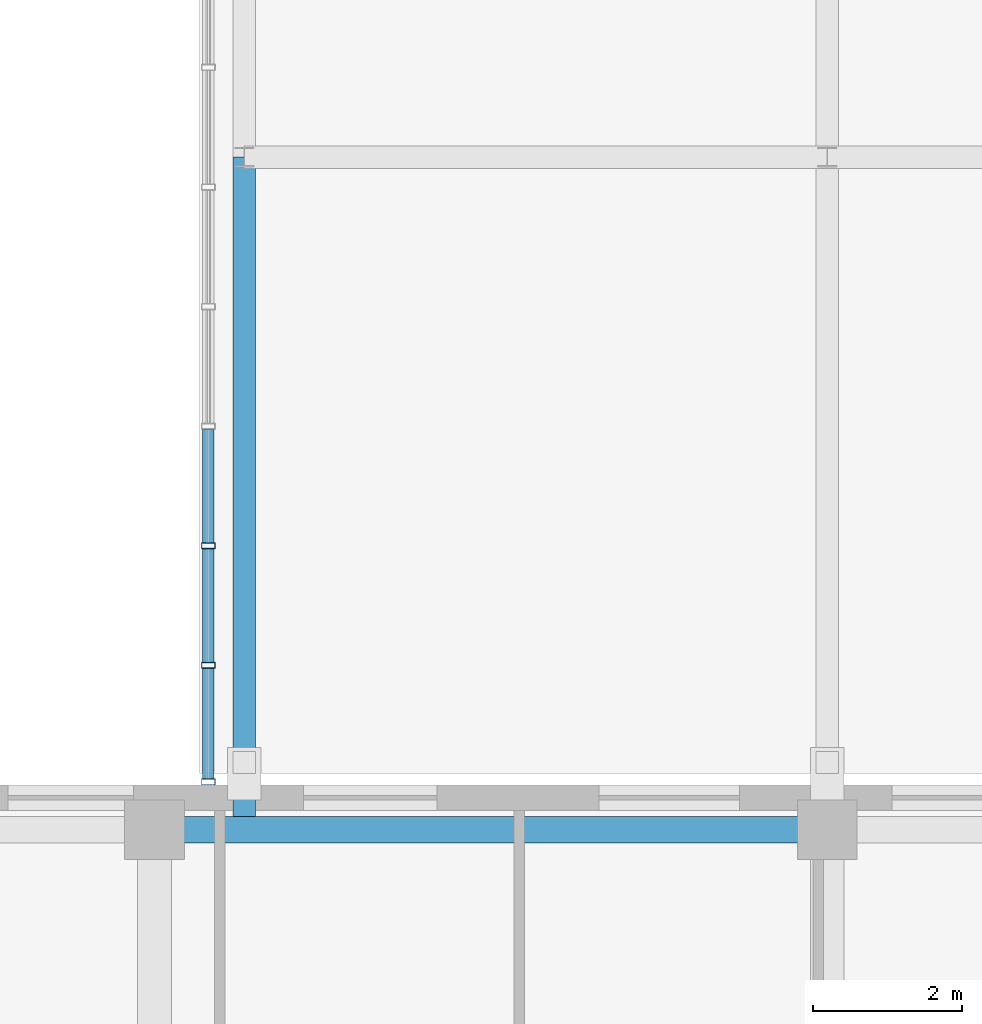
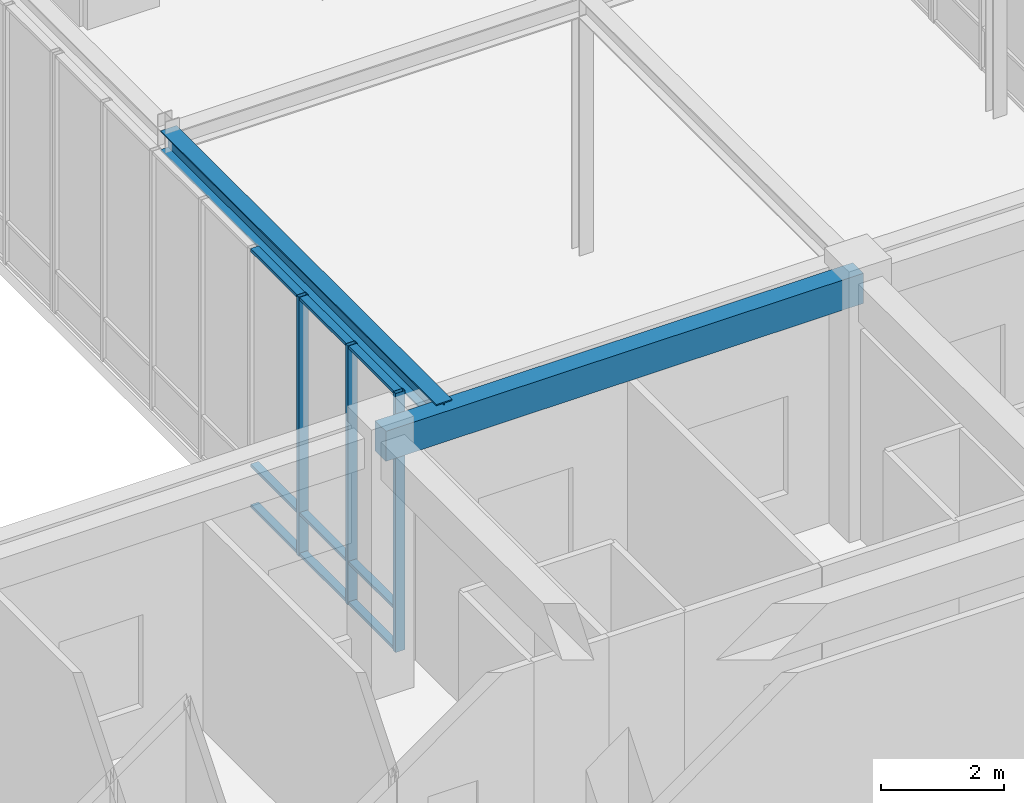
# One storey, part 19 of 139: 12 members, 2 beams, 1 element without a shape of its own.
"""IFC4 building model written with IfcOpenShell, lengths in metres."""

from ifc_helpers import new_model, si_unit, direction, frame, origin, origin_2d, place, context, subcontext, project, spatial, rectangle, hollow_rectangle, i_section, extrude, material, layer, layer_set, material_profile, profile_set, type_object, element, aggregate, save


model = new_model("IFC4")

# Units and contexts
model_context = context("Model", 3, precision=1e-05, world=origin(), true_north=direction((0.0, 1.0)))
body_context = subcontext(model_context, "Body", "Model", "MODEL_VIEW")
ifc_project = project(units=[si_unit("LENGTHUNIT", "METRE"), si_unit("AREAUNIT", "SQUARE_METRE"), si_unit("VOLUMEUNIT", "CUBIC_METRE"), si_unit("PLANEANGLEUNIT", "RADIAN"), si_unit("MASSUNIT", "GRAM", prefix="KILO")], contexts=[model_context])

# Site, building, storey
site_placement = place(None, origin())
site = spatial("IfcSite", under=ifc_project, at=site_placement, CompositionType="ELEMENT")
building_placement = place(site_placement, origin())
building = spatial("IfcBuilding", under=site, at=building_placement, Name="Zayran Congress Hotel", CompositionType="ELEMENT")
storey_placement = place(building_placement, frame((0.0, 0.0, 5.39990234375)))
storey = spatial("IfcBuildingStorey", under=building, at=storey_placement, Name="L01", CompositionType="ELEMENT", Elevation=5.39990234375)

# Beams
ifc_material_1 = material(Name="Concrete C40/50", Category="concrete")
ifc_material_profile_1 = material_profile(ifc_material_1, rectangle(XDim=0.35009765625, YDim=0.60009765625, at=origin_2d()), Name="RC 350x600")
ifc_profile_set_1 = profile_set([ifc_material_profile_1], Name="Concrete C40/50")
beam_type_1 = type_object("IfcBeamType", Name="TP-SP-01", PredefinedType="SPANDREL", material=ifc_profile_set_1)
beam_1_placement = place(storey_placement, frame((75.0, 33.39990234375, 4.800048828125), z_axis=(1.0, 0.0, 0.0), x_axis=(0.0, 1.0, 0.0)))
element("IfcBeam", 1, at=beam_1_placement, inside=storey, type_object=beam_type_1, Name="BM-V5-L01-1724", PredefinedType="SPANDREL", context=body_context, shape_type="SweptSolid", body=[
    extrude(rectangle(XDim=0.35009765625, YDim=0.60009765625, at=origin_2d()), origin(), (0.0, 0.0, 1.0), 9.0),
])
ifc_material_2 = material(Name="Steel S355", Category="steel")
ifc_material_profile_2 = material_profile(ifc_material_2, i_section(OverallWidth=0.300048828125, OverallDepth=0.39990234375, WebThickness=0.013427734375, FlangeThickness=0.02392578125, at=origin_2d()), Name="HEB 400")
ifc_profile_set_2 = profile_set([ifc_material_profile_2], Name="Steel S355")
beam_type_2 = type_object("IfcBeamType", Name="TP-BM-10", PredefinedType="BEAM", material=ifc_profile_set_2)
beam_2_placement = place(storey_placement, frame((76.199951171875, 33.39990234375, 4.960205078125), z_axis=(0.0, 1.0, 0.0), x_axis=(-1.0, 0.0, 0.0)))
element("IfcBeam", 2, at=beam_2_placement, inside=storey, type_object=beam_type_2, Name="BM-BR2Y-L01-2464", PredefinedType="BEAM", context=body_context, shape_type="SweptSolid", body=[
    extrude(i_section(OverallWidth=0.300048828125, OverallDepth=0.39990234375, WebThickness=0.013427734375, FlangeThickness=0.02392578125, at=origin_2d()), origin(), (0.0, 0.0, 1.0), 9.0),
])

# Curtain wall, members
ifc_material_3 = material(Name="Anodised aluminium and low-E insulated glass", Category="aluminium")
ifc_layer = layer(ifc_material_3, 0.179931640625)
ifc_layer_set = layer_set([ifc_layer], Name="Anodised aluminium and low-E insulated glass")
curtain_wall_type = type_object("IfcCurtainWallType", Name="CW-BR2-L01-CW-BR2-11200-5160", PredefinedType="USERDEFINED", material=ifc_layer_set)
curtain_wall_placement = place(storey_placement, origin())
curtain_wall = element("IfcCurtainWall", 3, at=curtain_wall_placement, inside=storey, type_object=curtain_wall_type, Name="CW-BR2W-L01-0", ObjectType="CURTAIN WALL", PredefinedType="USERDEFINED")
ifc_material_4 = material(Name="Anodised aluminium framing", Category="aluminium")
ifc_material_profile_3 = material_profile(ifc_material_4, hollow_rectangle(XDim=0.080078125, YDim=0.179931640625, WallThickness=0.0048828125, at=origin_2d()), Name="RHS 180x80x5")
ifc_profile_set_3 = profile_set([ifc_material_profile_3], Name="Anodised aluminium framing")
member_type_1 = type_object("IfcMemberType", Name="TP-CWM-01", PredefinedType="MULLION", material=ifc_profile_set_3)
member_1_placement = place(storey_placement, frame((75.719970703125, 37.199951171875, 0.0), z_axis=(0.0, 0.0, 1.0), x_axis=(0.0, 1.0, 0.0)))
member_1 = element("IfcMember", 4, at=member_1_placement, type_object=member_type_1, Name="CW-BR2W-L01-0-M05", PredefinedType="MULLION", context=body_context, shape_type="SweptSolid", body=[
    extrude(hollow_rectangle(XDim=0.080078125, YDim=0.179931640625, WallThickness=0.0048828125, at=origin_2d()), origin(), (0.0, 0.0, 1.0), 5.16015625),
])
member_2_placement = place(storey_placement, frame((75.719970703125, 35.60009765625, 0.0), z_axis=(0.0, 0.0, 1.0), x_axis=(0.0, 1.0, 0.0)))
member_2 = element("IfcMember", 5, at=member_2_placement, type_object=member_type_1, Name="CW-BR2W-L01-0-M06", PredefinedType="MULLION", context=body_context, shape_type="SweptSolid", body=[
    extrude(hollow_rectangle(XDim=0.080078125, YDim=0.179931640625, WallThickness=0.0048828125, at=origin_2d()), origin(), (0.0, 0.0, 1.0), 5.16015625),
])
member_3_placement = place(storey_placement, frame((75.719970703125, 34.0400390625, 0.0), z_axis=(0.0, 0.0, 1.0), x_axis=(0.0, 1.0, 0.0)))
member_3 = element("IfcMember", 6, at=member_3_placement, type_object=member_type_1, Name="CW-BR2W-L01-0-M07", PredefinedType="MULLION", context=body_context, shape_type="SweptSolid", body=[
    extrude(hollow_rectangle(XDim=0.080078125, YDim=0.179931640625, WallThickness=0.0048828125, at=origin_2d()), origin(), (0.0, 0.0, 1.0), 5.16015625),
])
ifc_material_profile_4 = material_profile(ifc_material_4, hollow_rectangle(XDim=0.06005859375, YDim=0.14990234375, WallThickness=0.00390625, at=origin_2d()), Name="RHS 150x60x4")
ifc_profile_set_4 = profile_set([ifc_material_profile_4], Name="Anodised aluminium framing")
member_type_2 = type_object("IfcMemberType", Name="TP-CWT-01", PredefinedType="USERDEFINED", material=ifc_profile_set_4)
member_4_placement = place(storey_placement, frame((75.719970703125, 38.760009765625, 0.030029296875), z_axis=(0.0, -1.0, 0.0), x_axis=(0.0, 0.0, 1.0)))
member_4 = element("IfcMember", 7, at=member_4_placement, type_object=member_type_2, Name="CW-BR2W-L01-0-T04-0", ObjectType="TRANSOM", PredefinedType="USERDEFINED", context=body_context, shape_type="SweptSolid", body=[
    extrude(hollow_rectangle(XDim=0.06005859375, YDim=0.14990234375, WallThickness=0.00390625, at=origin_2d()), origin(), (0.0, 0.0, 1.0), 1.52001953125),
])
member_5_placement = place(storey_placement, frame((75.719970703125, 38.760009765625, 0.840087890625), z_axis=(0.0, -1.0, 0.0), x_axis=(0.0, 0.0, 1.0)))
member_5 = element("IfcMember", 8, at=member_5_placement, type_object=member_type_2, Name="CW-BR2W-L01-0-T04-1", ObjectType="TRANSOM", PredefinedType="USERDEFINED", context=body_context, shape_type="SweptSolid", body=[
    extrude(hollow_rectangle(XDim=0.06005859375, YDim=0.14990234375, WallThickness=0.00390625, at=origin_2d()), origin(), (0.0, 0.0, 1.0), 1.52001953125),
])
member_6_placement = place(storey_placement, frame((75.719970703125, 38.760009765625, 5.130126953125), z_axis=(0.0, -1.0, 0.0), x_axis=(0.0, 0.0, 1.0)))
member_6 = element("IfcMember", 9, at=member_6_placement, type_object=member_type_2, Name="CW-BR2W-L01-0-T04-2", ObjectType="TRANSOM", PredefinedType="USERDEFINED", context=body_context, shape_type="SweptSolid", body=[
    extrude(hollow_rectangle(XDim=0.06005859375, YDim=0.14990234375, WallThickness=0.00390625, at=origin_2d()), origin(), (0.0, 0.0, 1.0), 1.52001953125),
])
member_7_placement = place(storey_placement, frame((75.719970703125, 37.159912109375, 0.030029296875), z_axis=(0.0, -1.0, 0.0), x_axis=(0.0, 0.0, 1.0)))
member_7 = element("IfcMember", 10, at=member_7_placement, type_object=member_type_2, Name="CW-BR2W-L01-0-T05-0", ObjectType="TRANSOM", PredefinedType="USERDEFINED", context=body_context, shape_type="SweptSolid", body=[
    extrude(hollow_rectangle(XDim=0.06005859375, YDim=0.14990234375, WallThickness=0.00390625, at=origin_2d()), origin(), (0.0, 0.0, 1.0), 1.52001953125),
])
member_8_placement = place(storey_placement, frame((75.719970703125, 37.159912109375, 0.840087890625), z_axis=(0.0, -1.0, 0.0), x_axis=(0.0, 0.0, 1.0)))
member_8 = element("IfcMember", 11, at=member_8_placement, type_object=member_type_2, Name="CW-BR2W-L01-0-T05-1", ObjectType="TRANSOM", PredefinedType="USERDEFINED", context=body_context, shape_type="SweptSolid", body=[
    extrude(hollow_rectangle(XDim=0.06005859375, YDim=0.14990234375, WallThickness=0.00390625, at=origin_2d()), origin(), (0.0, 0.0, 1.0), 1.52001953125),
])
member_9_placement = place(storey_placement, frame((75.719970703125, 37.159912109375, 5.130126953125), z_axis=(0.0, -1.0, 0.0), x_axis=(0.0, 0.0, 1.0)))
member_9 = element("IfcMember", 12, at=member_9_placement, type_object=member_type_2, Name="CW-BR2W-L01-0-T05-2", ObjectType="TRANSOM", PredefinedType="USERDEFINED", context=body_context, shape_type="SweptSolid", body=[
    extrude(hollow_rectangle(XDim=0.06005859375, YDim=0.14990234375, WallThickness=0.00390625, at=origin_2d()), origin(), (0.0, 0.0, 1.0), 1.52001953125),
])
member_10_placement = place(storey_placement, frame((75.719970703125, 35.56005859375, 0.030029296875), z_axis=(0.0, -1.0, 0.0), x_axis=(0.0, 0.0, 1.0)))
member_10 = element("IfcMember", 13, at=member_10_placement, type_object=member_type_2, Name="CW-BR2W-L01-0-T06-0", ObjectType="TRANSOM", PredefinedType="USERDEFINED", context=body_context, shape_type="SweptSolid", body=[
    extrude(hollow_rectangle(XDim=0.06005859375, YDim=0.14990234375, WallThickness=0.00390625, at=origin_2d()), origin(), (0.0, 0.0, 1.0), 1.47998046875),
])
member_11_placement = place(storey_placement, frame((75.719970703125, 35.56005859375, 0.840087890625), z_axis=(0.0, -1.0, 0.0), x_axis=(0.0, 0.0, 1.0)))
member_11 = element("IfcMember", 14, at=member_11_placement, type_object=member_type_2, Name="CW-BR2W-L01-0-T06-1", ObjectType="TRANSOM", PredefinedType="USERDEFINED", context=body_context, shape_type="SweptSolid", body=[
    extrude(hollow_rectangle(XDim=0.06005859375, YDim=0.14990234375, WallThickness=0.00390625, at=origin_2d()), origin(), (0.0, 0.0, 1.0), 1.47998046875),
])
member_12_placement = place(storey_placement, frame((75.719970703125, 35.56005859375, 5.130126953125), z_axis=(0.0, -1.0, 0.0), x_axis=(0.0, 0.0, 1.0)))
member_12 = element("IfcMember", 15, at=member_12_placement, type_object=member_type_2, Name="CW-BR2W-L01-0-T06-2", ObjectType="TRANSOM", PredefinedType="USERDEFINED", context=body_context, shape_type="SweptSolid", body=[
    extrude(hollow_rectangle(XDim=0.06005859375, YDim=0.14990234375, WallThickness=0.00390625, at=origin_2d()), origin(), (0.0, 0.0, 1.0), 1.47998046875),
])
aggregate(curtain_wall, [member_1, member_2, member_3, member_4, member_5, member_6, member_7, member_8, member_9, member_10, member_11, member_12])

save(model, "model.ifc")
